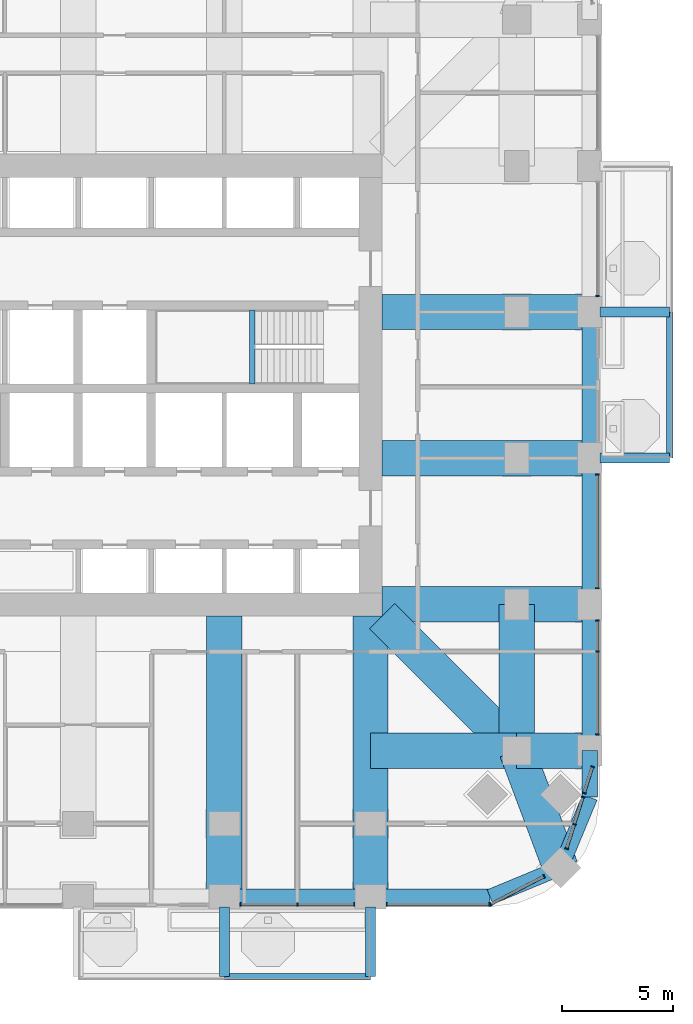
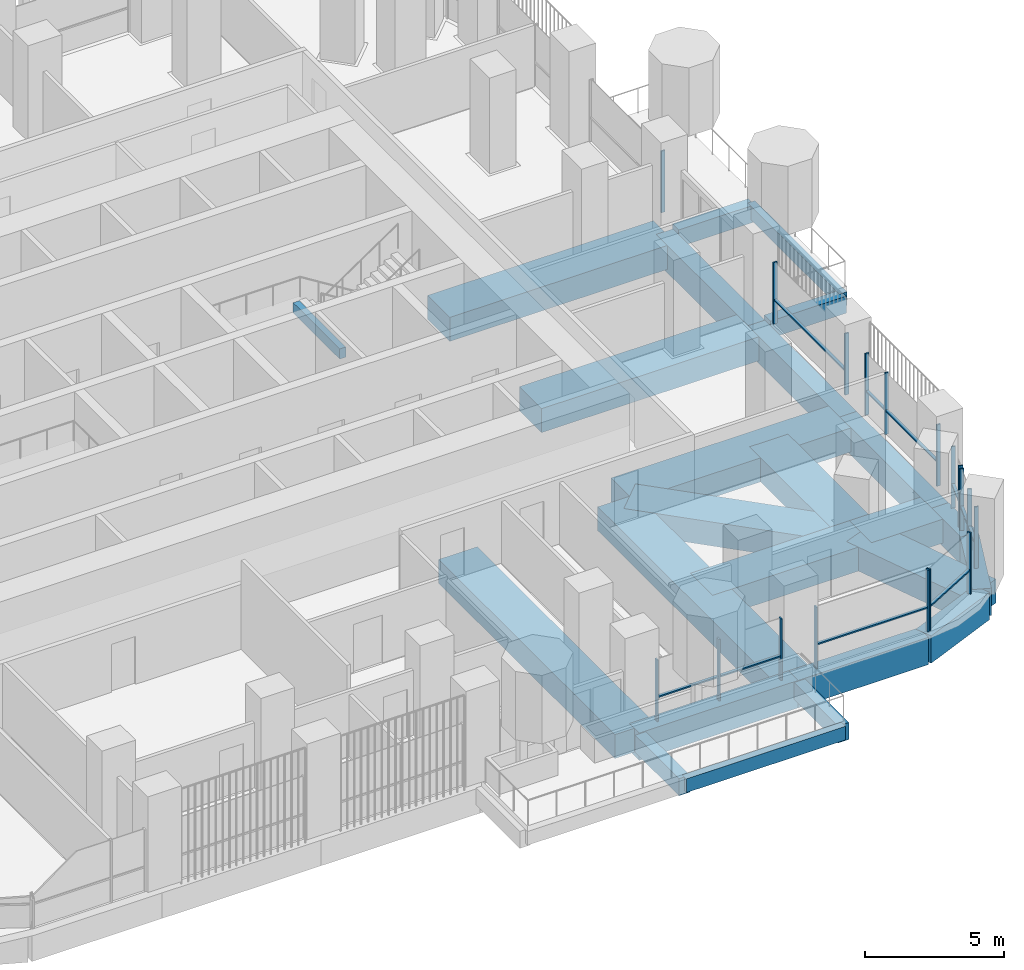
# One storey, part 5 of 23: 28 members, 25 beams, 8 elements without a shape of their own.
"""IFC4 building model written with IfcOpenShell, lengths in metres."""

import ifcopenshell
import ifcopenshell.guid

model = None  # the IFC model being written
_history = None  # IfcOwnerHistory: only IFC2X3 demands one
_inside = {}  # id of a spatial element -> (the spatial element, [elements in it])
_under = {}  # id of a project, library or spatial element -> (it, [spatial elements below it])
_declared = {}  # id of a project -> (the project, [libraries it declares])
_typed = {}  # id of a type object -> (the type object, [elements of that type])
_made_of = {}  # id of a material, layer set ... -> (it, [elements and type objects made of it])


def new_model(schema):
    """Start an empty IFC model of exactly this schema.

    Asked for "IFC4X3", IfcOpenShell would pick the latest addendum, in which some entities
    have other attributes; the version numbers below select the first issue.
    IFC2X3 requires an IfcOwnerHistory on every rooted entity: one is made here for all.
    """
    global model, _history
    if schema == "IFC4X3":
        model = ifcopenshell.file(schema_version=(4, 3, 0, 0))
    else:
        model = ifcopenshell.file(schema=schema)
    _inside.clear()
    _under.clear()
    _declared.clear()
    _typed.clear()
    _made_of.clear()
    _history = None
    if model.schema == "IFC2X3":
        org = make("IfcOrganization", Name="unknown")
        user = make(
            "IfcPersonAndOrganization",
            ThePerson=make("IfcPerson", FamilyName="unknown"),
            TheOrganization=org,
        )
        app = make(
            "IfcApplication",
            ApplicationDeveloper=org,
            Version="unknown",
            ApplicationFullName="unknown",
            ApplicationIdentifier="unknown",
        )
        _history = make(
            "IfcOwnerHistory",
            OwningUser=user,
            OwningApplication=app,
            ChangeAction="ADDED",
            CreationDate=0,
        )
    return model


def make(cls, **values):
    """One entity of the class cls with the attributes given. An attribute that is None is left unset."""
    return model.create_entity(
        cls, **{name: value for name, value in values.items() if value is not None}
    )


def rooted(cls, **values):
    """An entity with a GlobalId (a new one), such as an element, a storey or a relation."""
    return make(cls, GlobalId=ifcopenshell.guid.new(), OwnerHistory=_history, **values)


def si_unit(unit_type, name, prefix=None):
    """IfcSIUnit, for example si_unit("LENGTHUNIT", "METRE", prefix="MILLI")."""
    return make("IfcSIUnit", UnitType=unit_type, Prefix=prefix, Name=name)


def assignment(units):
    """IfcUnitAssignment: the units of a project."""
    return None if units is None else make("IfcUnitAssignment", Units=units)


def point(xyz):
    """IfcCartesianPoint."""
    return None if xyz is None else make("IfcCartesianPoint", Coordinates=xyz)


def direction(xyz):
    """IfcDirection."""
    return None if xyz is None else make("IfcDirection", DirectionRatios=xyz)


def frame(location, z_axis=None, x_axis=None):
    """IfcAxis2Placement3D, a coordinate frame: its origin and axes. An axis left out is left unset."""
    return make(
        "IfcAxis2Placement3D",
        Location=point(location),
        Axis=direction(z_axis),
        RefDirection=direction(x_axis),
    )


def frame_2d(location, x_axis=None):
    """IfcAxis2Placement2D, a coordinate frame in the plane: its origin and x axis."""
    return make(
        "IfcAxis2Placement2D", Location=point(location), RefDirection=direction(x_axis)
    )


def origin():
    """The frame at (0, 0, 0) with its axes left unset."""
    return frame((0.0, 0.0, 0.0))


def origin_2d():
    """The frame at (0, 0) in the plane with its x axis left unset."""
    return frame_2d((0.0, 0.0))


def place(relative_to, where):
    """IfcLocalPlacement: puts the frame where relative to a parent placement (None: the world)."""
    return make(
        "IfcLocalPlacement", PlacementRelTo=relative_to, RelativePlacement=where
    )


def context(
    kind, dimensions, precision=None, world=None, true_north=None, identifier=None
):
    """IfcGeometricRepresentationContext, for example the 3D "Model" context."""
    return make(
        "IfcGeometricRepresentationContext",
        ContextIdentifier=identifier,
        ContextType=kind,
        CoordinateSpaceDimension=dimensions,
        Precision=precision,
        WorldCoordinateSystem=world,
        TrueNorth=true_north,
    )


def subcontext(parent, identifier, kind, view, scale=None):
    """IfcGeometricRepresentationSubContext, for example "Body" below "Model"."""
    return make(
        "IfcGeometricRepresentationSubContext",
        ContextIdentifier=identifier,
        ContextType=kind,
        ParentContext=parent,
        TargetScale=scale,
        TargetView=view,
    )


def project(units=None, contexts=None):
    """IfcProject with its units and contexts."""
    return rooted(
        "IfcProject",
        Name="project",
        RepresentationContexts=contexts,
        UnitsInContext=assignment(units),
    )


def spatial(cls, under=None, at=None, **own):
    """A site, building, storey or space (cls), placed at a placement, below another one or the project."""
    s = rooted(cls, ObjectPlacement=at, **own)
    if under is not None:
        _under.setdefault(under.id(), (under, []))[1].append(s)
    return s


def profile(cls, at=None, kind="AREA", **sizes):
    """A parametric profile (cls). Its sizes go by their IFC names, for example OverallWidth=200.0."""
    return make(cls, ProfileType=kind, Position=at, **sizes)


def rectangle(**sizes):
    """IfcRectangleProfileDef."""
    return profile("IfcRectangleProfileDef", **sizes)


def extrude(swept, where, along, depth):
    """IfcExtrudedAreaSolid: the profile swept, set in the frame where, extruded along a direction by depth."""
    return make(
        "IfcExtrudedAreaSolid",
        SweptArea=swept,
        Position=where,
        ExtrudedDirection=direction(along),
        Depth=depth,
    )


def shape(context_of_items, identifier, shape_type, items):
    """IfcShapeRepresentation: the items that make up one representation, for example the "Body"."""
    return make(
        "IfcShapeRepresentation",
        ContextOfItems=context_of_items,
        RepresentationIdentifier=identifier,
        RepresentationType=shape_type,
        Items=items,
    )


def material(Name=None, Category=None):
    """IfcMaterial."""
    return make("IfcMaterial", Name=Name, Category=Category)


def material_profile(
    of_material, cross_section, Name=None, Category=None, Priority=None
):
    """IfcMaterialProfile: a cross section and its material."""
    return make(
        "IfcMaterialProfile",
        Name=Name,
        Material=of_material,
        Profile=cross_section,
        Priority=Priority,
        Category=Category,
    )


def profile_set(profiles, Name=None, composite=None):
    """IfcMaterialProfileSet."""
    return make(
        "IfcMaterialProfileSet",
        Name=Name,
        MaterialProfiles=profiles,
        CompositeProfile=composite,
    )


def made_of(thing, what):
    """Note that an element or type object is made of a material, layer set ...; save() writes the relation."""
    if what is not None:
        _made_of.setdefault(what.id(), (what, []))[1].append(thing)
    return thing


def type_object(cls, material=None, **own):
    """A type object (cls), such as IfcWallType, which elements share."""
    return made_of(rooted(cls, **own), material)


def element(
    cls,
    number,
    at=None,
    inside=None,
    cuts=None,
    type_object=None,
    material=None,
    context=None,
    identifier="Body",
    shape_type=None,
    held_by="IfcProductDefinitionShape",
    body=None,
    shapes=None,
    **own,
):
    """One element of the class cls, such as IfcWall. Its Tag is "e" and its number.

    at: its placement. inside: the storey or other place that contains it. cuts: it is an
    opening in that element (IfcRelVoidsElement). A single representation is given by context,
    identifier, shape_type and body (its items); several are given by shapes. held_by: the class
    of the entity that holds the representations. save() writes the other relations.
    """
    e = rooted(cls, Tag="e%d" % number, ObjectPlacement=at, **own)
    if body is not None:
        shapes = [shape(context, identifier, shape_type, body)]
    if shapes is not None:
        e.Representation = make(held_by, Representations=shapes)
    if inside is not None:
        _inside.setdefault(inside.id(), (inside, []))[1].append(e)
    if cuts is not None:
        rooted(
            "IfcRelVoidsElement", RelatingBuildingElement=cuts, RelatedOpeningElement=e
        )
    if type_object is not None:
        _typed.setdefault(type_object.id(), (type_object, []))[1].append(e)
    return made_of(e, material)


def aggregate(whole, parts):
    """IfcRelAggregates: a whole, such as a stair, and the parts it consists of."""
    return rooted("IfcRelAggregates", RelatingObject=whole, RelatedObjects=parts)


def save(model, path):
    """Write the relations noted so far, then the file.

    IfcRelAggregates (storeys below a building ...), IfcRelContainedInSpatialStructure (elements
    in a storey), IfcRelDefinesByType, IfcRelAssociatesMaterial and IfcRelDeclares: one each for
    every whole, place, type object, material and project.
    """
    for whole, parts in _under.values():
        aggregate(whole, parts)
    for where, things in _inside.values():
        rooted(
            "IfcRelContainedInSpatialStructure",
            RelatedElements=things,
            RelatingStructure=where,
        )
    for kind, things in _typed.values():
        rooted("IfcRelDefinesByType", RelatedObjects=things, RelatingType=kind)
    for what, things in _made_of.values():
        rooted("IfcRelAssociatesMaterial", RelatedObjects=things, RelatingMaterial=what)
    for by, libraries in _declared.values():
        rooted("IfcRelDeclares", RelatingContext=by, RelatedDefinitions=libraries)
    model.write(path)


model = new_model("IFC4")

# Units and contexts
model_context = context("Model", 3, precision=1e-05, world=origin(), true_north=direction((0.0, 1.0)))
body_context = subcontext(model_context, "Body", "Model", "MODEL_VIEW")
ifc_project = project(units=[si_unit("LENGTHUNIT", "METRE"), si_unit("AREAUNIT", "SQUARE_METRE"), si_unit("VOLUMEUNIT", "CUBIC_METRE"), si_unit("PLANEANGLEUNIT", "RADIAN"), si_unit("MASSUNIT", "GRAM", prefix="KILO")], contexts=[model_context])

# Site, building, storey
site_placement = place(None, origin())
site = spatial("IfcSite", under=ifc_project, at=site_placement, CompositionType="ELEMENT")
building_placement = place(site_placement, origin())
building = spatial("IfcBuilding", under=site, at=building_placement, Name="Cobogo Forest Laboratory Tower", CompositionType="ELEMENT")
storey_placement = place(building_placement, frame((0.0, 0.0, 128.39990234375)))
storey = spatial("IfcBuildingStorey", under=building, at=storey_placement, Name="L29", CompositionType="ELEMENT", Elevation=128.39990234375)

# Beams
ifc_material_1 = material(Name="Concrete HA-40 (C40/50)", Category="concrete")
ifc_material_profile_1 = material_profile(ifc_material_1, rectangle(XDim=0.449951171875, YDim=0.75, at=origin_2d()), Name="RC 450x750")
ifc_profile_set_1 = profile_set([ifc_material_profile_1], Name="Concrete HA-40 (C40/50)")
beam_type_1 = type_object("IfcBeamType", Name="Balcony cantilever beam 450x750", PredefinedType="BEAM", material=ifc_profile_set_1)
for number, where, z_axis, x_axis, name in (
    (1, (33.0, -0.449951171875, -0.625), (0.0, -1.0, 0.0), (1.0, 0.0, 0.0), "CB1 BAL-S1-C2 L29"),
    (2, (39.60009765625, -0.449951171875, -0.625), (0.0, -1.0, 0.0), (1.0, 0.0, 0.0), "CB1 BAL-S1-C3 L29"),
    (3, (49.949951171875, 19.800048828125, -0.625), (1.0, 0.0, 0.0), (0.0, 1.0, 0.0), "CB1 BAL-E1-C1 L29"),
    (4, (49.949951171875, 26.39990234375, -0.625), (1.0, 0.0, 0.0), (0.0, 1.0, 0.0), "CB1 BAL-E1-C2 L29"),
):
    element("IfcBeam", number, at=place(storey_placement, frame(where, z_axis=z_axis, x_axis=x_axis)), inside=storey, type_object=beam_type_1, Name=name, PredefinedType="BEAM", context=body_context, shape_type="SweptSolid", body=[
        extrude(rectangle(XDim=0.449951171875, YDim=0.75, at=origin_2d()), origin(), (0.0, 0.0, 1.0), 3.150146484375),
    ])
ifc_material_profile_2 = material_profile(ifc_material_1, rectangle(XDim=0.300048828125, YDim=0.60009765625, at=origin_2d()), Name="RC 300x600")
ifc_profile_set_2 = profile_set([ifc_material_profile_2], Name="Concrete HA-40 (C40/50)")
beam_type_2 = type_object("IfcBeamType", Name="Balcony edge beam 300x600", PredefinedType="BEAM", material=ifc_profile_set_2)
beam_1_placement = place(storey_placement, frame((33.0, -3.60009765625, -0.5498046875), z_axis=(1.0, 0.0, 0.0), x_axis=(0.0, 1.0, 0.0)))
element("IfcBeam", 5, at=beam_1_placement, inside=storey, type_object=beam_type_2, Name="BB1 BAL-S1-T2 L29", PredefinedType="BEAM", context=body_context, shape_type="SweptSolid", body=[
    extrude(rectangle(XDim=0.300048828125, YDim=0.60009765625, at=origin_2d()), origin(), (0.0, 0.0, 1.0), 6.60009765625),
])
beam_2_placement = place(storey_placement, frame((53.10009765625, 19.800048828125, -0.5498046875), z_axis=(0.0, 1.0, 0.0), x_axis=(-1.0, 0.0, 0.0)))
element("IfcBeam", 6, at=beam_2_placement, inside=storey, type_object=beam_type_2, Name="BB1 BAL-E1-T1 L29", PredefinedType="BEAM", context=body_context, shape_type="SweptSolid", body=[
    extrude(rectangle(XDim=0.300048828125, YDim=0.60009765625, at=origin_2d()), origin(), (0.0, 0.0, 1.0), 6.599853515625),
])
ifc_material_profile_3 = material_profile(ifc_material_1, rectangle(XDim=0.25, YDim=0.449951171875, at=origin_2d()), Name="RC 250x450")
ifc_profile_set_3 = profile_set([ifc_material_profile_3], Name="Concrete HA-40 (C40/50)")
beam_type_3 = type_object("IfcBeamType", Name="LB1 landing beam 250x450", PredefinedType="BEAM", material=ifc_profile_set_3)
beam_3_placement = place(storey_placement, frame((34.27001953125, 23.14990234375, 1.675048828125), z_axis=(0.0, 1.0, 0.0), x_axis=(-1.0, 0.0, 0.0)))
element("IfcBeam", 7, at=beam_3_placement, inside=storey, type_object=beam_type_3, Name="Landing beam ST2 L29", PredefinedType="BEAM", context=body_context, shape_type="SweptSolid", body=[
    extrude(rectangle(XDim=0.25, YDim=0.449951171875, at=origin_2d()), origin(), (0.0, 0.0, 1.0), 3.35009765625),
])
ifc_material_2 = material(Name="Concrete HA-50 (C50/60)", Category="concrete")
ifc_material_profile_4 = material_profile(ifc_material_2, rectangle(XDim=1.60009765625, YDim=1.050048828125, at=origin_2d()), Name="RC 1600x1050")
ifc_profile_set_4 = profile_set([ifc_material_profile_4], Name="Concrete HA-50 (C50/60)")
beam_type_4 = type_object("IfcBeamType", Name="Laboratory floor wide beam 1600x1050", PredefinedType="BEAM", material=ifc_profile_set_4)
for number, where, z_axis, x_axis, name in (
    (8, (33.0, 12.675048828125, -0.824951171875), (0.0, -1.0, 0.0), (1.0, 0.0, 0.0), "RB8 R-6-S L29"),
    (9, (39.60009765625, 12.675048828125, -0.824951171875), (0.0, -1.0, 0.0), (1.0, 0.0, 0.0), "RB8 R-7-S L29"),
):
    element("IfcBeam", number, at=place(storey_placement, frame(where, z_axis=z_axis, x_axis=x_axis)), inside=storey, type_object=beam_type_4, Name=name, PredefinedType="BEAM", context=body_context, shape_type="SweptSolid", body=[
        extrude(rectangle(XDim=1.60009765625, YDim=1.050048828125, at=origin_2d()), origin(), (0.0, 0.0, 1.0), 12.675048828125),
    ])
for number, where, z_axis, x_axis, name in (
    (10, (40.125, 13.199951171875, -0.824951171875), (1.0, 0.0, 0.0), (0.0, 1.0, 0.0), "RB8 R-C-E L29"),
    (11, (40.125, 19.800048828125, -0.824951171875), (1.0, 0.0, 0.0), (0.0, 1.0, 0.0), "RB8 R-D-E L29"),
    (12, (40.125, 26.39990234375, -0.824951171875), (1.0, 0.0, 0.0), (0.0, 1.0, 0.0), "RB8 R-E-E L29"),
):
    element("IfcBeam", number, at=place(storey_placement, frame(where, z_axis=z_axis, x_axis=x_axis)), inside=storey, type_object=beam_type_4, Name=name, PredefinedType="BEAM", context=body_context, shape_type="SweptSolid", body=[
        extrude(rectangle(XDim=1.60009765625, YDim=1.050048828125, at=origin_2d()), origin(), (0.0, 0.0, 1.0), 9.375),
    ])
beam_4_placement = place(storey_placement, frame((46.199951171875, 6.60009765625, -0.824951171875), z_axis=(0.0, 1.0, 0.0), x_axis=(-1.0, 0.0, 0.0)))
element("IfcBeam", 13, at=beam_4_placement, inside=storey, type_object=beam_type_4, Name="RB8 G-SE-XC L29", PredefinedType="BEAM", context=body_context, shape_type="SweptSolid", body=[
    extrude(rectangle(XDim=1.60009765625, YDim=1.050048828125, at=origin_2d()), origin(), (0.0, 0.0, 1.0), 6.599853515625),
])
beam_5_placement = place(storey_placement, frame((49.5, 6.60009765625, -0.824951171875), z_axis=(-1.0, 0.0, 0.0), x_axis=(0.0, -1.0, 0.0)))
element("IfcBeam", 14, at=beam_5_placement, inside=storey, type_object=beam_type_4, Name="RB8 G-SE-YF L29", PredefinedType="BEAM", context=body_context, shape_type="SweptSolid", body=[
    extrude(rectangle(XDim=1.60009765625, YDim=1.050048828125, at=origin_2d()), origin(), (0.0, 0.0, 1.0), 3.300048828125),
])
beam_6_placement = place(storey_placement, frame((46.199951171875, 6.60009765625, -0.824951171875), z_axis=(-1.0, 0.0, 0.0), x_axis=(0.0, -1.0, 0.0)))
element("IfcBeam", 15, at=beam_6_placement, inside=storey, type_object=beam_type_4, Name="RB8 G-SE-YC L29", PredefinedType="BEAM", context=body_context, shape_type="SweptSolid", body=[
    extrude(rectangle(XDim=1.60009765625, YDim=1.050048828125, at=origin_2d()), origin(), (0.0, 0.0, 1.0), 6.599853515625),
])
beam_7_placement = place(storey_placement, frame((48.181884765625, 1.318115234375, -0.824951171875), z_axis=(-0.351308391925, 0.936259800356, 0.0), x_axis=(-0.936259800356, -0.351308391925, 0.0)))
element("IfcBeam", 16, at=beam_7_placement, inside=storey, type_object=beam_type_4, Name="RB8 G-SE-D1 L29", PredefinedType="BEAM", context=body_context, shape_type="SweptSolid", body=[
    extrude(rectangle(XDim=1.60009765625, YDim=1.050048828125, at=origin_2d()), origin(), (0.0, 0.0, 1.0), 5.6416015625),
])
beam_8_placement = place(storey_placement, frame((46.199951171875, 6.60009765625, -0.824951171875), z_axis=(-0.707106781187, 0.707106781187, 0.0), x_axis=(-0.707106781187, -0.707106781187, 0.0)))
element("IfcBeam", 17, at=beam_8_placement, inside=storey, type_object=beam_type_4, Name="RB8 G-SE-D2 L29", PredefinedType="BEAM", context=body_context, shape_type="SweptSolid", body=[
    extrude(rectangle(XDim=1.60009765625, YDim=1.050048828125, at=origin_2d()), origin(), (0.0, 0.0, 1.0), 8.59130859375),
])

# Curtain wall, members
ifc_material_3 = material(Name="Aluminium curtain wall", Category="aluminium")
curtain_wall_type = type_object("IfcCurtainWallType", Name="CW-1 unitised curtain wall, clear glazing, laboratory floors zones A and B", PredefinedType="USERDEFINED", material=ifc_material_3)
curtain_wall_1_placement = place(storey_placement, origin())
curtain_wall_1 = element("IfcCurtainWall", 18, at=curtain_wall_1_placement, inside=storey, type_object=curtain_wall_type, Name="Curtain wall 05 L29", ObjectType="UNITISED CURTAIN WALL", PredefinedType="USERDEFINED")
ifc_material_4 = material(Name="Aluminium mullion", Category="aluminium")
ifc_material_profile_5 = material_profile(ifc_material_4, rectangle(XDim=0.06005859375, YDim=0.159912109375, at=origin_2d()), Name="AL 60x160")
ifc_profile_set_5 = profile_set([ifc_material_profile_5], Name="Aluminium mullion")
member_type_1 = type_object("IfcMemberType", Name="MU-1 aluminium mullion 60x160", PredefinedType="MULLION", material=ifc_profile_set_5)
member_1_placement = place(storey_placement, frame((33.72998046875, -0.35009765625, 0.0), z_axis=(0.0, 0.0, 1.0), x_axis=(1.0, 0.0, 0.0)))
member_1 = element("IfcMember", 19, at=member_1_placement, type_object=member_type_1, Name="CW-1 mullion 1", PredefinedType="MULLION", context=body_context, shape_type="SweptSolid", body=[
    extrude(rectangle(XDim=0.06005859375, YDim=0.159912109375, at=origin_2d()), origin(), (0.0, 0.0, 1.0), 2.7001953125),
])
member_2_placement = place(storey_placement, frame((36.300048828125, -0.35009765625, 0.0), z_axis=(0.0, 0.0, 1.0), x_axis=(1.0, 0.0, 0.0)))
member_2 = element("IfcMember", 20, at=member_2_placement, type_object=member_type_1, Name="CW-1 mullion 2", PredefinedType="MULLION", context=body_context, shape_type="SweptSolid", body=[
    extrude(rectangle(XDim=0.06005859375, YDim=0.159912109375, at=origin_2d()), origin(), (0.0, 0.0, 1.0), 2.7001953125),
])
member_3_placement = place(storey_placement, frame((38.8701171875, -0.35009765625, 0.0), z_axis=(0.0, 0.0, 1.0), x_axis=(1.0, 0.0, 0.0)))
member_3 = element("IfcMember", 21, at=member_3_placement, type_object=member_type_1, Name="CW-1 mullion 3", PredefinedType="MULLION", context=body_context, shape_type="SweptSolid", body=[
    extrude(rectangle(XDim=0.06005859375, YDim=0.159912109375, at=origin_2d()), origin(), (0.0, 0.0, 1.0), 2.7001953125),
])

curtain_wall_2_placement = place(storey_placement, origin())
curtain_wall_2 = element("IfcCurtainWall", 22, at=curtain_wall_2_placement, inside=storey, type_object=curtain_wall_type, Name="Curtain wall 06 L29", ObjectType="UNITISED CURTAIN WALL", PredefinedType="USERDEFINED")
member_4_placement = place(storey_placement, frame((40.330078125, -0.35009765625, 0.0), z_axis=(0.0, 0.0, 1.0), x_axis=(1.0, 0.0, 0.0)))
member_4 = element("IfcMember", 23, at=member_4_placement, type_object=member_type_1, Name="CW-1 mullion 1", PredefinedType="MULLION", context=body_context, shape_type="SweptSolid", body=[
    extrude(rectangle(XDim=0.06005859375, YDim=0.159912109375, at=origin_2d()), origin(), (0.0, 0.0, 1.0), 2.7001953125),
])
member_5_placement = place(storey_placement, frame((44.969970703125, -0.35009765625, 0.0), z_axis=(0.0, 0.0, 1.0), x_axis=(1.0, 0.0, 0.0)))
member_5 = element("IfcMember", 24, at=member_5_placement, type_object=member_type_1, Name="CW-1 mullion 2", PredefinedType="MULLION", context=body_context, shape_type="SweptSolid", body=[
    extrude(rectangle(XDim=0.06005859375, YDim=0.159912109375, at=origin_2d()), origin(), (0.0, 0.0, 1.0), 2.7001953125),
])

curtain_wall_3_placement = place(storey_placement, origin())
curtain_wall_3 = element("IfcCurtainWall", 25, at=curtain_wall_3_placement, inside=storey, type_object=curtain_wall_type, Name="Curtain wall 07 L29", ObjectType="UNITISED CURTAIN WALL", PredefinedType="USERDEFINED")
member_6_placement = place(storey_placement, frame((45.026611328125, -0.336181640625, 0.0), z_axis=(0.0, 0.0, 1.0), x_axis=(0.885686547075, 0.464283685186, 0.0)))
member_6 = element("IfcMember", 26, at=member_6_placement, type_object=member_type_1, Name="CW-1 mullion 1", PredefinedType="MULLION", context=body_context, shape_type="SweptSolid", body=[
    extrude(rectangle(XDim=0.06005859375, YDim=0.159912109375, at=origin_2d()), origin(), (0.0, 0.0, 1.0), 2.7001953125),
])
member_7_placement = place(storey_placement, frame((47.431640625, 0.9248046875, 0.0), z_axis=(0.0, 0.0, 1.0), x_axis=(0.885686547075, 0.464283685186, 0.0)))
member_7 = element("IfcMember", 27, at=member_7_placement, type_object=member_type_1, Name="CW-1 mullion 2", PredefinedType="MULLION", context=body_context, shape_type="SweptSolid", body=[
    extrude(rectangle(XDim=0.06005859375, YDim=0.159912109375, at=origin_2d()), origin(), (0.0, 0.0, 1.0), 2.7001953125),
])

curtain_wall_4_placement = place(storey_placement, origin())
curtain_wall_4 = element("IfcCurtainWall", 28, at=curtain_wall_4_placement, inside=storey, type_object=curtain_wall_type, Name="Curtain wall 08 L29", ObjectType="UNITISED CURTAIN WALL", PredefinedType="USERDEFINED")
member_8_placement = place(storey_placement, frame((48.455810546875, 2.18505859375, 0.0), z_axis=(0.0, 0.0, 1.0), x_axis=(0.301135291996, 0.953581425949, 0.0)))
member_8 = element("IfcMember", 29, at=member_8_placement, type_object=member_type_1, Name="CW-1 mullion 1", PredefinedType="MULLION", context=body_context, shape_type="SweptSolid", body=[
    extrude(rectangle(XDim=0.06005859375, YDim=0.159912109375, at=origin_2d()), origin(), (0.0, 0.0, 1.0), 2.7001953125),
])
member_9_placement = place(storey_placement, frame((48.80029296875, 3.27587890625, 0.0), z_axis=(0.0, 0.0, 1.0), x_axis=(0.301135291996, 0.953581425949, 0.0)))
member_9 = element("IfcMember", 30, at=member_9_placement, type_object=member_type_1, Name="CW-1 mullion 2", PredefinedType="MULLION", context=body_context, shape_type="SweptSolid", body=[
    extrude(rectangle(XDim=0.06005859375, YDim=0.159912109375, at=origin_2d()), origin(), (0.0, 0.0, 1.0), 2.7001953125),
])
member_10_placement = place(storey_placement, frame((49.18701171875, 4.500244140625, 0.0), z_axis=(0.0, 0.0, 1.0), x_axis=(0.301135291996, 0.953581425949, 0.0)))
member_10 = element("IfcMember", 31, at=member_10_placement, type_object=member_type_1, Name="CW-1 mullion 3", PredefinedType="MULLION", context=body_context, shape_type="SweptSolid", body=[
    extrude(rectangle(XDim=0.06005859375, YDim=0.159912109375, at=origin_2d()), origin(), (0.0, 0.0, 1.0), 2.7001953125),
])

curtain_wall_5_placement = place(storey_placement, origin())
curtain_wall_5 = element("IfcCurtainWall", 32, at=curtain_wall_5_placement, inside=storey, type_object=curtain_wall_type, Name="Curtain wall 09 L29", ObjectType="UNITISED CURTAIN WALL", PredefinedType="USERDEFINED")
member_11_placement = place(storey_placement, frame((49.247802734375, 4.69287109375, 0.0), z_axis=(0.0, 0.0, 1.0), x_axis=(0.301135356805, 0.953581405483, 0.0)))
member_11 = element("IfcMember", 33, at=member_11_placement, type_object=member_type_1, Name="CW-1 mullion 1", PredefinedType="MULLION", context=body_context, shape_type="SweptSolid", body=[
    extrude(rectangle(XDim=0.06005859375, YDim=0.159912109375, at=origin_2d()), origin(), (0.0, 0.0, 1.0), 2.7001953125),
])
member_12_placement = place(storey_placement, frame((49.619873046875, 5.871337890625, 0.0), z_axis=(0.0, 0.0, 1.0), x_axis=(0.301135356805, 0.953581405483, 0.0)))
member_12 = element("IfcMember", 34, at=member_12_placement, type_object=member_type_1, Name="CW-1 mullion 2", PredefinedType="MULLION", context=body_context, shape_type="SweptSolid", body=[
    extrude(rectangle(XDim=0.06005859375, YDim=0.159912109375, at=origin_2d()), origin(), (0.0, 0.0, 1.0), 2.7001953125),
])

curtain_wall_6_placement = place(storey_placement, origin())
curtain_wall_6 = element("IfcCurtainWall", 35, at=curtain_wall_6_placement, inside=storey, type_object=curtain_wall_type, Name="Curtain wall 10 L29", ObjectType="UNITISED CURTAIN WALL", PredefinedType="USERDEFINED")
member_13_placement = place(storey_placement, frame((49.85009765625, 7.330078125, 0.0), z_axis=(0.0, 0.0, 1.0), x_axis=(0.0, 1.0, 0.0)))
member_13 = element("IfcMember", 36, at=member_13_placement, type_object=member_type_1, Name="CW-1 mullion 1", PredefinedType="MULLION", context=body_context, shape_type="SweptSolid", body=[
    extrude(rectangle(XDim=0.06005859375, YDim=0.159912109375, at=origin_2d()), origin(), (0.0, 0.0, 1.0), 2.7001953125),
])
member_14_placement = place(storey_placement, frame((49.85009765625, 11.074951171875, 0.0), z_axis=(0.0, 0.0, 1.0), x_axis=(0.0, 1.0, 0.0)))
member_14 = element("IfcMember", 37, at=member_14_placement, type_object=member_type_1, Name="CW-1 mullion 2", PredefinedType="MULLION", context=body_context, shape_type="SweptSolid", body=[
    extrude(rectangle(XDim=0.06005859375, YDim=0.159912109375, at=origin_2d()), origin(), (0.0, 0.0, 1.0), 2.7001953125),
])
member_15_placement = place(storey_placement, frame((49.85009765625, 12.469970703125, 0.0), z_axis=(0.0, 0.0, 1.0), x_axis=(0.0, 1.0, 0.0)))
member_15 = element("IfcMember", 38, at=member_15_placement, type_object=member_type_1, Name="CW-1 mullion 3", PredefinedType="MULLION", context=body_context, shape_type="SweptSolid", body=[
    extrude(rectangle(XDim=0.06005859375, YDim=0.159912109375, at=origin_2d()), origin(), (0.0, 0.0, 1.0), 2.7001953125),
])

curtain_wall_7_placement = place(storey_placement, origin())
curtain_wall_7 = element("IfcCurtainWall", 39, at=curtain_wall_7_placement, inside=storey, type_object=curtain_wall_type, Name="Curtain wall 11 L29", ObjectType="UNITISED CURTAIN WALL", PredefinedType="USERDEFINED")
member_16_placement = place(storey_placement, frame((49.85009765625, 13.929931640625, 0.0), z_axis=(0.0, 0.0, 1.0), x_axis=(0.0, 1.0, 0.0)))
member_16 = element("IfcMember", 40, at=member_16_placement, type_object=member_type_1, Name="CW-1 mullion 1", PredefinedType="MULLION", context=body_context, shape_type="SweptSolid", body=[
    extrude(rectangle(XDim=0.06005859375, YDim=0.159912109375, at=origin_2d()), origin(), (0.0, 0.0, 1.0), 2.7001953125),
])
member_17_placement = place(storey_placement, frame((49.85009765625, 19.070068359375, 0.0), z_axis=(0.0, 0.0, 1.0), x_axis=(0.0, 1.0, 0.0)))
member_17 = element("IfcMember", 41, at=member_17_placement, type_object=member_type_1, Name="CW-1 mullion 2", PredefinedType="MULLION", context=body_context, shape_type="SweptSolid", body=[
    extrude(rectangle(XDim=0.06005859375, YDim=0.159912109375, at=origin_2d()), origin(), (0.0, 0.0, 1.0), 2.7001953125),
])

# Curtain wall, member
curtain_wall_8_placement = place(storey_placement, origin())
curtain_wall_8 = element("IfcCurtainWall", 42, at=curtain_wall_8_placement, inside=storey, type_object=curtain_wall_type, Name="Curtain wall 13 L29", ObjectType="UNITISED CURTAIN WALL", PredefinedType="USERDEFINED")
member_18_placement = place(storey_placement, frame((49.85009765625, 27.1298828125, 0.0), z_axis=(0.0, 0.0, 1.0), x_axis=(0.0, 1.0, 0.0)))
member_18 = element("IfcMember", 43, at=member_18_placement, type_object=member_type_1, Name="CW-1 mullion 1", PredefinedType="MULLION", context=body_context, shape_type="SweptSolid", body=[
    extrude(rectangle(XDim=0.06005859375, YDim=0.159912109375, at=origin_2d()), origin(), (0.0, 0.0, 1.0), 2.7001953125),
])
aggregate(curtain_wall_8, [member_18])

# Beams
ifc_material_profile_6 = material_profile(ifc_material_1, rectangle(XDim=0.699951171875, YDim=1.199951171875, at=origin_2d()), Name="RC 700x1200")
ifc_profile_set_6 = profile_set([ifc_material_profile_6], Name="Concrete HA-40 (C40/50)")
beam_type_5 = type_object("IfcBeamType", Name="Perimeter edge beam 700x1200", PredefinedType="BEAM", material=ifc_profile_set_6)
beam_9_placement = place(storey_placement, frame((33.0, 0.0, -0.89990234375), z_axis=(1.0, 0.0, 0.0), x_axis=(0.0, 1.0, 0.0)))
element("IfcBeam", 44, at=beam_9_placement, inside=storey, type_object=beam_type_5, Name="EB1 E-S4 L29", PredefinedType="BEAM", context=body_context, shape_type="SweptSolid", body=[
    extrude(rectangle(XDim=0.699951171875, YDim=1.199951171875, at=origin_2d()), origin(), (0.0, 0.0, 1.0), 6.60009765625),
])
beam_10_placement = place(storey_placement, frame((49.5, 6.60009765625, -0.89990234375), z_axis=(0.0, 1.0, 0.0), x_axis=(-1.0, 0.0, 0.0)))
element("IfcBeam", 45, at=beam_10_placement, inside=storey, type_object=beam_type_5, Name="EB1 E-E1 L29", PredefinedType="BEAM", context=body_context, shape_type="SweptSolid", body=[
    extrude(rectangle(XDim=0.699951171875, YDim=1.199951171875, at=origin_2d()), origin(), (0.0, 0.0, 1.0), 6.599853515625),
])
beam_11_placement = place(storey_placement, frame((49.5, 13.199951171875, -0.89990234375), z_axis=(0.0, 1.0, 0.0), x_axis=(-1.0, 0.0, 0.0)))
element("IfcBeam", 46, at=beam_11_placement, inside=storey, type_object=beam_type_5, Name="EB1 E-E2 L29", PredefinedType="BEAM", context=body_context, shape_type="SweptSolid", body=[
    extrude(rectangle(XDim=0.699951171875, YDim=1.199951171875, at=origin_2d()), origin(), (0.0, 0.0, 1.0), 6.60009765625),
])
beam_12_placement = place(storey_placement, frame((49.5, 19.800048828125, -0.89990234375), z_axis=(0.0, 1.0, 0.0), x_axis=(-1.0, 0.0, 0.0)))
element("IfcBeam", 47, at=beam_12_placement, inside=storey, type_object=beam_type_5, Name="EB1 E-E3 L29", PredefinedType="BEAM", context=body_context, shape_type="SweptSolid", body=[
    extrude(rectangle(XDim=0.699951171875, YDim=1.199951171875, at=origin_2d()), origin(), (0.0, 0.0, 1.0), 6.599853515625),
])
beam_13_placement = place(storey_placement, frame((39.60009765625, 0.0, -0.89990234375), z_axis=(1.0, 0.0, 0.0), x_axis=(0.0, 1.0, 0.0)))
element("IfcBeam", 48, at=beam_13_placement, inside=storey, type_object=beam_type_5, Name="EB1 E-SES1 L29", PredefinedType="BEAM", context=body_context, shape_type="SweptSolid", body=[
    extrude(rectangle(XDim=0.699951171875, YDim=1.199951171875, at=origin_2d()), origin(), (0.0, 0.0, 1.0), 5.39990234375),
])
beam_14_placement = place(storey_placement, frame((45.0, 0.0, -0.89990234375), z_axis=(0.923865631356, 0.382716990999, 0.0), x_axis=(-0.382716990999, 0.923865631356, 0.0)))
element("IfcBeam", 49, at=beam_14_placement, inside=storey, type_object=beam_type_5, Name="EB1 E-SES2 L29", PredefinedType="BEAM", context=body_context, shape_type="SweptSolid", body=[
    extrude(rectangle(XDim=0.699951171875, YDim=1.199951171875, at=origin_2d()), origin(), (0.0, 0.0, 1.0), 3.444091796875),
])
beam_15_placement = place(storey_placement, frame((49.5, 6.60009765625, -0.89990234375), z_axis=(0.0, -1.0, 0.0), x_axis=(1.0, 0.0, 0.0)))
element("IfcBeam", 50, at=beam_15_placement, inside=storey, type_object=beam_type_5, Name="EB1 E-SEE1 L29", PredefinedType="BEAM", context=body_context, shape_type="SweptSolid", body=[
    extrude(rectangle(XDim=0.699951171875, YDim=1.199951171875, at=origin_2d()), origin(), (0.0, 0.0, 1.0), 2.10009765625),
])
beam_16_placement = place(storey_placement, frame((49.5, 4.5, -0.89990234375), z_axis=(-0.382716990999, -0.923865631356, 0.0), x_axis=(0.923865631356, -0.382716990999, 0.0)))
element("IfcBeam", 51, at=beam_16_placement, inside=storey, type_object=beam_type_5, Name="EB1 E-SEE2 L29", PredefinedType="BEAM", context=body_context, shape_type="SweptSolid", body=[
    extrude(rectangle(XDim=0.699951171875, YDim=1.199951171875, at=origin_2d()), origin(), (0.0, 0.0, 1.0), 3.444091796875),
])

# Member
ifc_material_5 = material(Name="Aluminium transom", Category="aluminium")
ifc_material_profile_7 = material_profile(ifc_material_5, rectangle(XDim=0.1201171875, YDim=0.06005859375, at=origin_2d()), Name="AL 60x120")
ifc_profile_set_7 = profile_set([ifc_material_profile_7], Name="Aluminium transom")
member_type_2 = type_object("IfcMemberType", Name="TR-1 aluminium transom 60x120", PredefinedType="USERDEFINED", material=ifc_profile_set_7)
member_19_placement = place(storey_placement, frame((33.760009765625, -0.35009765625, 1.050048828125), z_axis=(1.0, 0.0, 0.0), x_axis=(0.0, 1.0, 0.0)))
member_19 = element("IfcMember", 52, at=member_19_placement, type_object=member_type_2, Name="CW-1 transom 1.1", ObjectType="TRANSOM", PredefinedType="USERDEFINED", context=body_context, shape_type="SweptSolid", body=[
    extrude(rectangle(XDim=0.1201171875, YDim=0.06005859375, at=origin_2d()), origin(), (0.0, 0.0, 1.0), 2.510009765625),
])

member_20_placement = place(storey_placement, frame((36.330078125, -0.35009765625, 1.050048828125), z_axis=(1.0, 0.0, 0.0), x_axis=(0.0, 1.0, 0.0)))
member_20 = element("IfcMember", 53, at=member_20_placement, type_object=member_type_2, Name="CW-1 transom 2.1", ObjectType="TRANSOM", PredefinedType="USERDEFINED", context=body_context, shape_type="SweptSolid", body=[
    extrude(rectangle(XDim=0.1201171875, YDim=0.06005859375, at=origin_2d()), origin(), (0.0, 0.0, 1.0), 2.510009765625),
])

aggregate(curtain_wall_1, [member_1, member_2, member_3, member_19, member_20])

member_21_placement = place(storey_placement, frame((40.360107421875, -0.35009765625, 1.050048828125), z_axis=(1.0, 0.0, 0.0), x_axis=(0.0, 1.0, 0.0)))
member_21 = element("IfcMember", 54, at=member_21_placement, type_object=member_type_2, Name="CW-1 transom 1.1", ObjectType="TRANSOM", PredefinedType="USERDEFINED", context=body_context, shape_type="SweptSolid", body=[
    extrude(rectangle(XDim=0.1201171875, YDim=0.06005859375, at=origin_2d()), origin(), (0.0, 0.0, 1.0), 4.579833984375),
])

aggregate(curtain_wall_2, [member_4, member_5, member_21])

member_22_placement = place(storey_placement, frame((45.05322265625, -0.322021484375, 1.050048828125), z_axis=(0.885674922116, 0.464305860758, 0.0), x_axis=(-0.464305860758, 0.885674922116, 0.0)))
member_22 = element("IfcMember", 55, at=member_22_placement, type_object=member_type_2, Name="CW-1 transom 1.1", ObjectType="TRANSOM", PredefinedType="USERDEFINED", context=body_context, shape_type="SweptSolid", body=[
    extrude(rectangle(XDim=0.1201171875, YDim=0.06005859375, at=origin_2d()), origin(), (0.0, 0.0, 1.0), 2.6552734375),
])

aggregate(curtain_wall_3, [member_6, member_7, member_22])

member_23_placement = place(storey_placement, frame((48.46484375, 2.213623046875, 1.050048828125), z_axis=(0.301120589075, 0.953586068918, 0.0), x_axis=(-0.953586068918, 0.301120589075, 0.0)))
member_23 = element("IfcMember", 56, at=member_23_placement, type_object=member_type_2, Name="CW-1 transom 1.1", ObjectType="TRANSOM", PredefinedType="USERDEFINED", context=body_context, shape_type="SweptSolid", body=[
    extrude(rectangle(XDim=0.1201171875, YDim=0.06005859375, at=origin_2d()), origin(), (0.0, 0.0, 1.0), 1.083984375),
])

member_24_placement = place(storey_placement, frame((48.809326171875, 3.304443359375, 1.050048828125), z_axis=(0.301169549566, 0.953570606937, 0.0), x_axis=(-0.953570606937, 0.301169549566, 0.0)))
member_24 = element("IfcMember", 57, at=member_24_placement, type_object=member_type_2, Name="CW-1 transom 2.1", ObjectType="TRANSOM", PredefinedType="USERDEFINED", context=body_context, shape_type="SweptSolid", body=[
    extrude(rectangle(XDim=0.1201171875, YDim=0.06005859375, at=origin_2d()), origin(), (0.0, 0.0, 1.0), 1.22412109375),
])

aggregate(curtain_wall_4, [member_8, member_9, member_10, member_23, member_24])

member_25_placement = place(storey_placement, frame((49.2568359375, 4.7216796875, 1.050048828125), z_axis=(0.301111490799, 0.953588941897, 0.0), x_axis=(-0.953588941897, 0.301111490799, 0.0)))
member_25 = element("IfcMember", 58, at=member_25_placement, type_object=member_type_2, Name="CW-1 transom 1.1", ObjectType="TRANSOM", PredefinedType="USERDEFINED", context=body_context, shape_type="SweptSolid", body=[
    extrude(rectangle(XDim=0.1201171875, YDim=0.06005859375, at=origin_2d()), origin(), (0.0, 0.0, 1.0), 1.175537109375),
])

aggregate(curtain_wall_5, [member_11, member_12, member_25])

member_26_placement = place(storey_placement, frame((49.85009765625, 7.360107421875, 1.050048828125), z_axis=(0.0, 1.0, 0.0), x_axis=(-1.0, 0.0, 0.0)))
member_26 = element("IfcMember", 59, at=member_26_placement, type_object=member_type_2, Name="CW-1 transom 1.1", ObjectType="TRANSOM", PredefinedType="USERDEFINED", context=body_context, shape_type="SweptSolid", body=[
    extrude(rectangle(XDim=0.1201171875, YDim=0.06005859375, at=origin_2d()), origin(), (0.0, 0.0, 1.0), 3.684814453125),
])

member_27_placement = place(storey_placement, frame((49.85009765625, 11.10498046875, 1.050048828125), z_axis=(0.0, 1.0, 0.0), x_axis=(-1.0, 0.0, 0.0)))
member_27 = element("IfcMember", 60, at=member_27_placement, type_object=member_type_2, Name="CW-1 transom 2.1", ObjectType="TRANSOM", PredefinedType="USERDEFINED", context=body_context, shape_type="SweptSolid", body=[
    extrude(rectangle(XDim=0.1201171875, YDim=0.06005859375, at=origin_2d()), origin(), (0.0, 0.0, 1.0), 1.3349609375),
])

aggregate(curtain_wall_6, [member_13, member_14, member_15, member_26, member_27])

member_28_placement = place(storey_placement, frame((49.85009765625, 13.9599609375, 1.050048828125), z_axis=(0.0, 1.0, 0.0), x_axis=(-1.0, 0.0, 0.0)))
member_28 = element("IfcMember", 61, at=member_28_placement, type_object=member_type_2, Name="CW-1 transom 1.1", ObjectType="TRANSOM", PredefinedType="USERDEFINED", context=body_context, shape_type="SweptSolid", body=[
    extrude(rectangle(XDim=0.1201171875, YDim=0.06005859375, at=origin_2d()), origin(), (0.0, 0.0, 1.0), 5.080078125),
])

aggregate(curtain_wall_7, [member_16, member_17, member_28])

save(model, "model.ifc")
